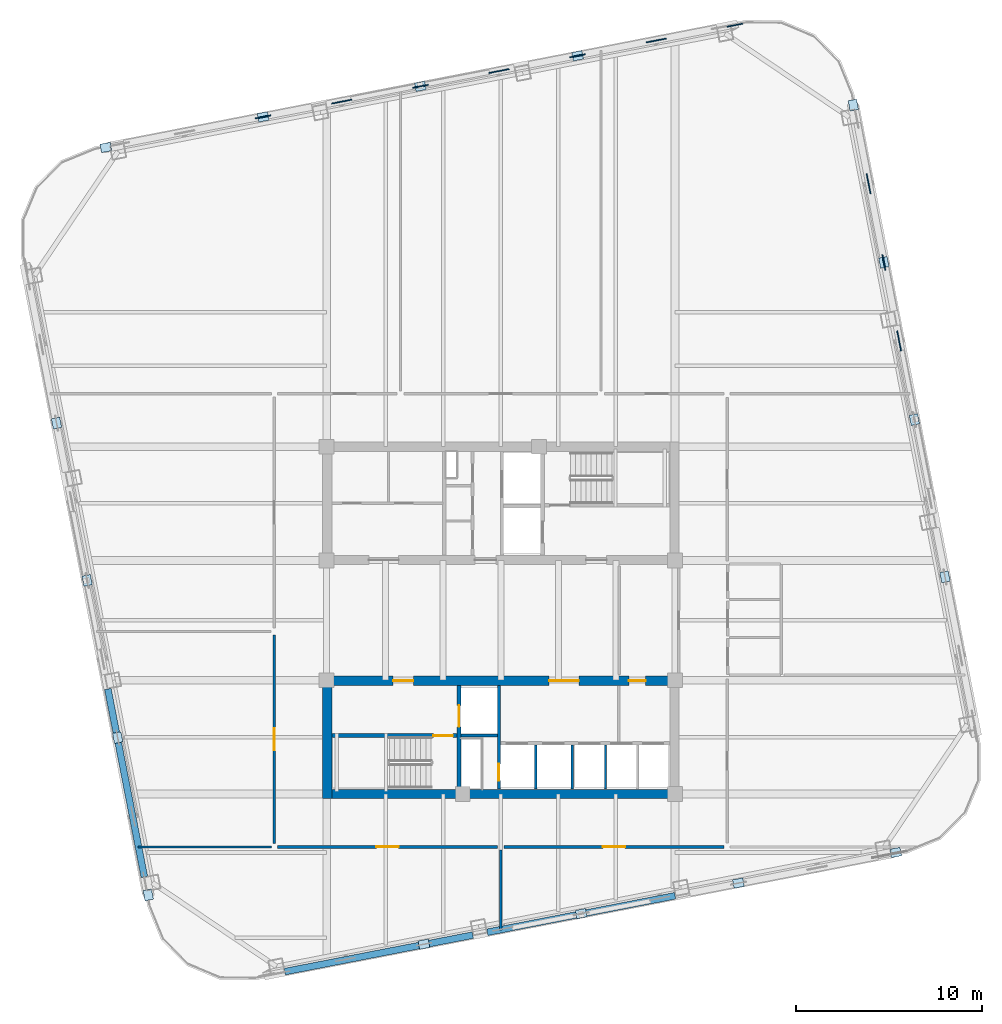
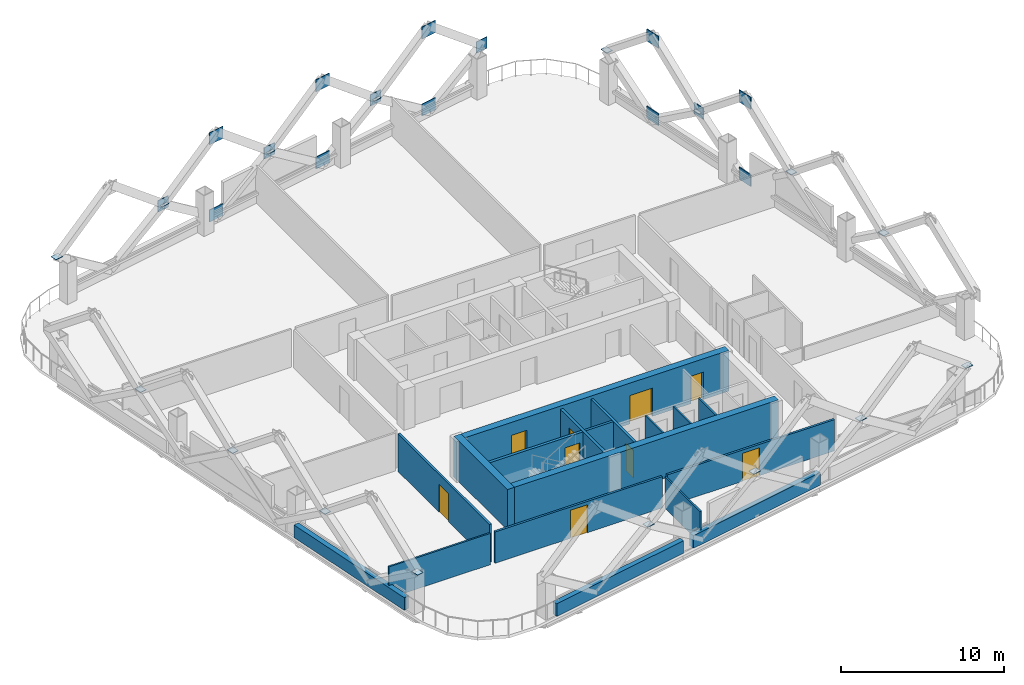
# One storey, part 4 of 9: 31 plates, 18 walls, 9 doors, 9 openings.
"""IFC4 building model written with IfcOpenShell, lengths in metres."""

from ifc_helpers import new_model, si_unit, direction, frame, frame_2d, origin, origin_2d, place, context, subcontext, project, spatial, rectangle, extrude, material, layer, layer_set, type_object, element, fill, save


model = new_model("IFC4")

# Units and contexts
model_context = context("Model", 3, precision=1e-05, world=origin(), true_north=direction((0.0, 1.0)))
body_context = subcontext(model_context, "Body", "Model", "MODEL_VIEW")
ifc_project = project(units=[si_unit("LENGTHUNIT", "METRE"), si_unit("AREAUNIT", "SQUARE_METRE"), si_unit("VOLUMEUNIT", "CUBIC_METRE"), si_unit("PLANEANGLEUNIT", "RADIAN"), si_unit("MASSUNIT", "GRAM", prefix="KILO")], contexts=[model_context])

# Site, building, storey
site_placement = place(None, origin())
site = spatial("IfcSite", under=ifc_project, at=site_placement, CompositionType="ELEMENT")
building_placement = place(site_placement, origin())
building = spatial("IfcBuilding", under=site, at=building_placement, Name="Qhalaya Broadcast Tower", CompositionType="ELEMENT")
storey_placement = place(building_placement, frame((0.0, 0.0, 137.199951171875)))
storey = spatial("IfcBuildingStorey", under=building, at=storey_placement, Name="L40", CompositionType="ELEMENT", Elevation=137.199951171875)

# Plates
ifc_material_1 = material(Name="Structural Steel ASTM A572 Grade 50", Category="steel")
ifc_layer_1 = layer(ifc_material_1, 0.054931640625, Name="Structural Steel ASTM A572 Grade 50")
ifc_layer_set_1 = layer_set([ifc_layer_1], Name="Structural Steel ASTM A572 Grade 50")
plate_type_1 = type_object("IfcPlateType", Name="Exoskeleton Diamond Node Gusset Plate NP-01", PredefinedType="USERDEFINED", material=ifc_layer_set_1)
for number, where, z_axis, x_axis, name in (
    (1, (21.4501953125, 15.642578125, 0.210205078125), (0.0, 0.0, 1.0), (-0.190808995377, 0.981627183448, 0.0), "Exoskeleton Diamond Node B3-E3-BOT"),
    (2, (21.4501953125, 15.642578125, 5.989990234375), (0.0, 0.0, 1.0), (-0.190808995377, 0.981627183448, 0.0), "Exoskeleton Diamond Node B3-E3-TOP"),
    (3, (19.804443359375, 24.109375, 0.210205078125), (0.0, 0.0, 1.0), (-0.190808995377, 0.981627183448, 0.0), "Exoskeleton Diamond Node B3-E4-BOT"),
    (4, (19.804443359375, 24.109375, 5.989990234375), (0.0, 0.0, 1.0), (-0.190808995377, 0.981627183448, 0.0), "Exoskeleton Diamond Node B3-E4-TOP"),
):
    element("IfcPlate", number, at=place(storey_placement, frame(where, z_axis=z_axis, x_axis=x_axis)), inside=storey, type_object=plate_type_1, Name=name, ObjectType="GUSSET_PLATE", PredefinedType="USERDEFINED", context=body_context, shape_type="SweptSolid", body=[
        extrude(rectangle(XDim=1.10009765625, YDim=0.054931640625, at=origin_2d()), origin(), (0.0, 0.0, 1.0), 0.89990234375),
    ])
plate_1_placement = place(storey_placement, frame((20.62744140625, 19.8759765625, 2.885009765625), z_axis=(0.0, 0.0, 1.0), x_axis=(-0.190808995377, 0.981627183448, 0.0)))
element("IfcPlate", 5, at=plate_1_placement, inside=storey, type_object=plate_type_1, Name="Exoskeleton Diamond Node B3-E4-MDL", ObjectType="GUSSET_PLATE", PredefinedType="USERDEFINED", context=body_context, shape_type="SweptSolid", body=[
    extrude(rectangle(XDim=0.85009765625, YDim=0.054931640625, at=origin_2d()), origin(), (0.0, 0.0, 1.0), 0.85009765625),
])
for number, where, z_axis, x_axis, name in (
    (6, (8.370361328125, 31.82177734375, 0.210205078125), (0.0, 0.0, 1.0), (0.981627183448, 0.190808995377, 0.0), "Exoskeleton Diamond Node B3-N1-BOT"),
    (7, (8.370361328125, 31.82177734375, 5.989990234375), (0.0, 0.0, 1.0), (0.981627183448, 0.190808995377, 0.0), "Exoskeleton Diamond Node B3-N1-TOP"),
):
    element("IfcPlate", number, at=place(storey_placement, frame(where, z_axis=z_axis, x_axis=x_axis)), inside=storey, type_object=plate_type_1, Name=name, ObjectType="GUSSET_PLATE", PredefinedType="USERDEFINED", context=body_context, shape_type="SweptSolid", body=[
        extrude(rectangle(XDim=1.10009765625, YDim=0.054931640625, at=origin_2d()), origin(), (0.0, 0.0, 1.0), 0.89990234375),
    ])
plate_2_placement = place(storey_placement, frame((12.603515625, 32.64453125, 2.885009765625), z_axis=(0.0, 0.0, 1.0), x_axis=(0.981627183448, 0.190808995377, 0.0)))
element("IfcPlate", 8, at=plate_2_placement, inside=storey, type_object=plate_type_1, Name="Exoskeleton Diamond Node B3-N1-MDL", ObjectType="GUSSET_PLATE", PredefinedType="USERDEFINED", context=body_context, shape_type="SweptSolid", body=[
    extrude(rectangle(XDim=0.85009765625, YDim=0.054931640625, at=origin_2d()), origin(), (0.0, 0.0, 1.0), 0.85009765625),
])
for number, where, z_axis, x_axis, name in (
    (9, (-0.09619140625, 30.176025390625, 0.210205078125), (0.0, 0.0, 1.0), (0.981627183448, 0.190808995377, 0.0), "Exoskeleton Diamond Node B3-N2-BOT"),
    (10, (-0.09619140625, 30.176025390625, 5.989990234375), (0.0, 0.0, 1.0), (0.981627183448, 0.190808995377, 0.0), "Exoskeleton Diamond Node B3-N2-TOP"),
):
    element("IfcPlate", number, at=place(storey_placement, frame(where, z_axis=z_axis, x_axis=x_axis)), inside=storey, type_object=plate_type_1, Name=name, ObjectType="GUSSET_PLATE", PredefinedType="USERDEFINED", context=body_context, shape_type="SweptSolid", body=[
        extrude(rectangle(XDim=1.10009765625, YDim=0.054931640625, at=origin_2d()), origin(), (0.0, 0.0, 1.0), 0.89990234375),
    ])
plate_3_placement = place(storey_placement, frame((4.13720703125, 30.998779296875, 2.885009765625), z_axis=(0.0, 0.0, 1.0), x_axis=(0.981627183448, 0.190808995377, 0.0)))
element("IfcPlate", 11, at=plate_3_placement, inside=storey, type_object=plate_type_1, Name="Exoskeleton Diamond Node B3-N2-MDL", ObjectType="GUSSET_PLATE", PredefinedType="USERDEFINED", context=body_context, shape_type="SweptSolid", body=[
    extrude(rectangle(XDim=0.85009765625, YDim=0.054931640625, at=origin_2d()), origin(), (0.0, 0.0, 1.0), 0.85009765625),
])
for number, where, z_axis, x_axis, name in (
    (12, (-8.562744140625, 28.5302734375, 0.210205078125), (0.0, 0.0, 1.0), (0.981627183448, 0.190808995377, 0.0), "Exoskeleton Diamond Node B3-N3-BOT"),
    (13, (-8.562744140625, 28.5302734375, 5.989990234375), (0.0, 0.0, 1.0), (0.981627183448, 0.190808995377, 0.0), "Exoskeleton Diamond Node B3-N3-TOP"),
):
    element("IfcPlate", number, at=place(storey_placement, frame(where, z_axis=z_axis, x_axis=x_axis)), inside=storey, type_object=plate_type_1, Name=name, ObjectType="GUSSET_PLATE", PredefinedType="USERDEFINED", context=body_context, shape_type="SweptSolid", body=[
        extrude(rectangle(XDim=1.10009765625, YDim=0.054931640625, at=origin_2d()), origin(), (0.0, 0.0, 1.0), 0.89990234375),
    ])
for number, where, z_axis, x_axis, name in (
    (14, (-4.32958984375, 29.35302734375, 2.885009765625), (0.0, 0.0, 1.0), (0.981627183448, 0.190808995377, 0.0), "Exoskeleton Diamond Node B3-N3-MDL"),
    (15, (-12.7958984375, 27.70751953125, 2.885009765625), (0.0, 0.0, 1.0), (0.981627183448, 0.190808995377, 0.0), "Exoskeleton Diamond Node B3-N4-MDL"),
):
    element("IfcPlate", number, at=place(storey_placement, frame(where, z_axis=z_axis, x_axis=x_axis)), inside=storey, type_object=plate_type_1, Name=name, ObjectType="GUSSET_PLATE", PredefinedType="USERDEFINED", context=body_context, shape_type="SweptSolid", body=[
        extrude(rectangle(XDim=0.85009765625, YDim=0.054931640625, at=origin_2d()), origin(), (0.0, 0.0, 1.0), 0.85009765625),
    ])
ifc_layer_2 = layer(ifc_material_1, 0.4599609375, Name="Structural Steel ASTM A572 Grade 50")
ifc_layer_set_2 = layer_set([ifc_layer_2], Name="Structural Steel ASTM A572 Grade 50")
plate_type_2 = type_object("IfcPlateType", Name="Hollow Box Member End Cap Plate CP-01", PredefinedType="USERDEFINED", material=ifc_layer_set_2)
for number, where, z_axis, x_axis, name in (
    (16, (-4.13720703125, -16.8388671875, 3.2939453125), (0.0, 0.0, 1.0), (0.981627183448, 0.190808995377, 0.0), "Exoskeleton Hollow End Cap B3-S1"),
    (17, (4.32958984375, -15.193115234375, 3.2939453125), (0.0, 0.0, 1.0), (0.981627183448, 0.190808995377, 0.0), "Exoskeleton Hollow End Cap B3-S2"),
    (18, (12.7958984375, -13.54736328125, 3.2939453125), (0.0, 0.0, 1.0), (0.981627183448, 0.190808995377, 0.0), "Exoskeleton Hollow End Cap B3-S3"),
    (19, (21.262451171875, -11.901611328125, 3.2939453125), (0.0, 0.0, 1.0), (0.981627183448, 0.190808995377, 0.0), "Exoskeleton Hollow End Cap B3-S4"),
    (20, (23.918701171875, 2.94287109375, 3.2939453125), (0.0, 0.0, 1.0), (-0.190808995377, 0.981627183448, 0.0), "Exoskeleton Hollow End Cap B3-E1"),
    (21, (22.273193359375, 11.409423828125, 3.2939453125), (0.0, 0.0, 1.0), (-0.190808995377, 0.981627183448, 0.0), "Exoskeleton Hollow End Cap B3-E2"),
    (22, (20.62744140625, 19.8759765625, 3.2939453125), (0.0, 0.0, 1.0), (-0.190808995377, 0.981627183448, 0.0), "Exoskeleton Hollow End Cap B3-E3"),
    (23, (18.981689453125, 28.342529296875, 3.2939453125), (0.0, 0.0, 1.0), (-0.190808995377, 0.981627183448, 0.0), "Exoskeleton Hollow End Cap B3-E4"),
    (24, (4.13720703125, 30.998779296875, 3.2939453125), (0.0, 0.0, 1.0), (0.981627183448, 0.190808995377, 0.0), "Exoskeleton Hollow End Cap B3-N1"),
    (25, (-4.32958984375, 29.35302734375, 3.2939453125), (0.0, 0.0, 1.0), (0.981627183448, 0.190808995377, 0.0), "Exoskeleton Hollow End Cap B3-N2"),
    (26, (-12.7958984375, 27.70751953125, 3.2939453125), (0.0, 0.0, 1.0), (0.981627183448, 0.190808995377, 0.0), "Exoskeleton Hollow End Cap B3-N3"),
    (27, (-21.262451171875, 26.061767578125, 3.2939453125), (0.0, 0.0, 1.0), (0.981627183448, 0.190808995377, 0.0), "Exoskeleton Hollow End Cap B3-N4"),
    (28, (-23.918701171875, 11.217041015625, 3.2939453125), (0.0, 0.0, 1.0), (-0.190808995377, 0.981627183448, 0.0), "Exoskeleton Hollow End Cap B3-W1"),
    (29, (-22.273193359375, 2.75048828125, 3.2939453125), (0.0, 0.0, 1.0), (-0.190808995377, 0.981627183448, 0.0), "Exoskeleton Hollow End Cap B3-W2"),
    (30, (-20.62744140625, -5.716064453125, 3.2939453125), (0.0, 0.0, 1.0), (-0.190808995377, 0.981627183448, 0.0), "Exoskeleton Hollow End Cap B3-W3"),
    (31, (-18.981689453125, -14.1826171875, 3.2939453125), (0.0, 0.0, 1.0), (-0.190808995377, 0.981627183448, 0.0), "Exoskeleton Hollow End Cap B3-W4"),
):
    element("IfcPlate", number, at=place(storey_placement, frame(where, z_axis=z_axis, x_axis=x_axis)), inside=storey, type_object=plate_type_2, Name=name, ObjectType="COVER_PLATE", PredefinedType="USERDEFINED", context=body_context, shape_type="SweptSolid", body=[
        extrude(rectangle(XDim=0.56005859375, YDim=0.4599609375, at=origin_2d()), origin(), (0.0, 0.0, 1.0), 0.031982421875),
    ])

# Wall, opening, door
ifc_material_2 = material(Name="Gypsum Acoustic Partition")
ifc_layer_3 = layer(ifc_material_2, 0.14990234375, Name="Gypsum Acoustic Partition")
ifc_layer_set_3 = layer_set([ifc_layer_3], Name="Gypsum Acoustic Partition")
wall_type_1 = type_object("IfcWallType", Name="Corridor & Tenancy Acoustic Partition 150", PredefinedType="PARTITIONING", material=ifc_layer_set_3)
wall_1_placement = place(storey_placement, frame((-12.02001953125, -11.60009765625, 0.0), z_axis=(0.0, 0.0, 1.0), x_axis=(1.0, 0.0, 0.0)))
wall_1 = element("IfcWall", 32, at=wall_1_placement, inside=storey, type_object=wall_type_1, Name="L40 Partition Wall W-COR-04", PredefinedType="PARTITIONING", context=body_context, shape_type="SweptSolid", body=[
    extrude(rectangle(XDim=11.840087890625, YDim=0.14990234375, at=frame_2d((5.919921875, 0.0))), origin(), (0.0, 0.0, 1.0), 2.34716796875),
])
opening_1_placement = place(wall_1_placement, frame((5.320068359375, 0.0, 0.0)))
opening_1 = element("IfcOpeningElement", 33, at=opening_1_placement, cuts=wall_1, Name="Opening D11", PredefinedType="OPENING", context=body_context, shape_type="SweptSolid", body=[
    extrude(rectangle(XDim=1.199951171875, YDim=2.10009765625, at=frame_2d((0.60009765625, 1.050048828125))), frame((0.0, 0.0869140625, 0.0), z_axis=(0.0, -1.0, 0.0), x_axis=(1.0, 0.0, 0.0)), (0.0, 0.0, 1.0), 0.173828125),
])
ifc_material_3 = material(Name="Anodised Aluminium Glazed Door", Category="aluminium")
door_type_1 = type_object("IfcDoorType", Name="Conference, Boardroom & Studio Control Door D11", OperationType="NOTDEFINED", PredefinedType="DOOR", material=ifc_material_3)
door_1_placement = place(opening_1_placement, origin())
door_1 = element("IfcDoor", 34, at=door_1_placement, inside=storey, type_object=door_type_1, Name="L40 Door D-RM04", OperationType="SINGLE_SWING_LEFT", OverallHeight=2.10009765625, OverallWidth=1.199951171875, PredefinedType="DOOR", context=body_context, shape_type="SweptSolid", body=[
    extrude(rectangle(XDim=1.199951171875, YDim=2.10009765625, at=frame_2d((0.60009765625, 1.050048828125))), frame((0.0, 0.02490234375, 0.0), z_axis=(0.0, -1.0, 0.0), x_axis=(1.0, 0.0, 0.0)), (0.0, 0.0, 1.0), 0.050048828125),
])
fill(opening_1, door_1)

wall_2_placement = place(storey_placement, frame((0.179931640625, -11.60009765625, 0.0), z_axis=(0.0, 0.0, 1.0), x_axis=(1.0, 0.0, 0.0)))
wall_2 = element("IfcWall", 35, at=wall_2_placement, inside=storey, type_object=wall_type_1, Name="L40 Partition Wall W-COR-05", PredefinedType="PARTITIONING", context=body_context, shape_type="SweptSolid", body=[
    extrude(rectangle(XDim=11.840087890625, YDim=0.14990234375, at=frame_2d((5.919921875, 0.0))), origin(), (0.0, 0.0, 1.0), 2.34716796875),
])
opening_2_placement = place(wall_2_placement, frame((5.320068359375, 0.0, 0.0)))
opening_2 = element("IfcOpeningElement", 36, at=opening_2_placement, cuts=wall_2, Name="Opening D11", PredefinedType="OPENING", context=body_context, shape_type="SweptSolid", body=[
    extrude(rectangle(XDim=1.199951171875, YDim=2.10009765625, at=frame_2d((0.60009765625, 1.050048828125))), frame((0.0, 0.0869140625, 0.0), z_axis=(0.0, -1.0, 0.0), x_axis=(1.0, 0.0, 0.0)), (0.0, 0.0, 1.0), 0.173828125),
])
door_2_placement = place(opening_2_placement, origin())
door_2 = element("IfcDoor", 37, at=door_2_placement, inside=storey, type_object=door_type_1, Name="L40 Door D-RM05", OperationType="SINGLE_SWING_RIGHT", OverallHeight=2.10009765625, OverallWidth=1.199951171875, PredefinedType="DOOR", context=body_context, shape_type="SweptSolid", body=[
    extrude(rectangle(XDim=1.199951171875, YDim=2.10009765625, at=frame_2d((0.60009765625, 1.050048828125))), frame((0.0, 0.02490234375, 0.0), z_axis=(0.0, -1.0, 0.0), x_axis=(1.0, 0.0, 0.0)), (0.0, 0.0, 1.0), 0.050048828125),
])
fill(opening_2, door_2)

wall_3_placement = place(storey_placement, frame((-12.199951171875, -11.419921875, 0.0), z_axis=(0.0, 0.0, 1.0), x_axis=(0.0, 1.0, 0.0)))
wall_3 = element("IfcWall", 38, at=wall_3_placement, inside=storey, type_object=wall_type_1, Name="L40 Partition Wall W-COR-06", PredefinedType="PARTITIONING", context=body_context, shape_type="SweptSolid", body=[
    extrude(rectangle(XDim=11.239990234375, YDim=0.14990234375, at=frame_2d((5.6201171875, 0.0))), origin(), (0.0, 0.0, 1.0), 2.830078125),
])
opening_3_placement = place(wall_3_placement, frame((5.02001953125, 0.0, 0.0)))
opening_3 = element("IfcOpeningElement", 39, at=opening_3_placement, cuts=wall_3, Name="Opening D11", PredefinedType="OPENING", context=body_context, shape_type="SweptSolid", body=[
    extrude(rectangle(XDim=1.199951171875, YDim=2.10009765625, at=frame_2d((0.60009765625, 1.050048828125))), frame((0.0, 0.0869140625, 0.0), z_axis=(0.0, -1.0, 0.0), x_axis=(1.0, 0.0, 0.0)), (0.0, 0.0, 1.0), 0.173828125),
])
door_3_placement = place(opening_3_placement, origin())
door_3 = element("IfcDoor", 40, at=door_3_placement, inside=storey, type_object=door_type_1, Name="L40 Door D-RM06", OperationType="SINGLE_SWING_LEFT", OverallHeight=2.10009765625, OverallWidth=1.199951171875, PredefinedType="DOOR", context=body_context, shape_type="SweptSolid", body=[
    extrude(rectangle(XDim=1.199951171875, YDim=2.10009765625, at=frame_2d((0.60009765625, 1.050048828125))), frame((0.0, 0.02490234375, 0.0), z_axis=(0.0, -1.0, 0.0), x_axis=(1.0, 0.0, 0.0)), (0.0, 0.0, 1.0), 0.050048828125),
])
fill(opening_3, door_3)

# Walls
ifc_material_4 = material(Name="Precast Concrete C40/50", Category="concrete")
ifc_layer_4 = layer(ifc_material_4, 0.360107421875, Name="Precast Concrete C40/50")
ifc_layer_set_4 = layer_set([ifc_layer_4], Name="Precast Concrete C40/50")
wall_type_2 = type_object("IfcWallType", Name="Insulated Precast Terracotta Exterior Wall 360", PredefinedType="SOLIDWALL", material=ifc_layer_set_4)
wall_4_placement = place(storey_placement, frame((9.388671875, -14.22998046875, 0.0), z_axis=(0.0, 0.0, 1.0), x_axis=(-0.981627477005, -0.190807485147, 0.0)))
element("IfcWall", 41, at=wall_4_placement, inside=storey, type_object=wall_type_2, Name="L40 Exoskeleton Diagrid Infill Wall S2", PredefinedType="SOLIDWALL", context=body_context, shape_type="SweptSolid", body=[
    extrude(rectangle(XDim=10.300048828125, YDim=0.360107421875, at=frame_2d((5.14990234375, 0.0))), origin(), (0.0, 0.0, 1.0), 0.949951171875),
])
for number, where, z_axis, x_axis, name in (
    (42, (-1.50732421875, -16.34814453125, 0.0), (0.0, 0.0, 1.0), (-0.981628941133, -0.190799952646, 0.0), "L40 Exoskeleton Diagrid Infill Wall S3"),
    (43, (-19.189697265625, -13.216552734375, 0.0), (0.0, 0.0, 1.0), (-0.190822765986, 0.981624506612, 0.0), "L40 Exoskeleton Diagrid Infill Wall W1"),
):
    element("IfcWall", number, at=place(storey_placement, frame(where, z_axis=z_axis, x_axis=x_axis)), inside=storey, type_object=wall_type_2, Name=name, PredefinedType="SOLIDWALL", context=body_context, shape_type="SweptSolid", body=[
        extrude(rectangle(XDim=10.31201171875, YDim=0.360107421875, at=frame_2d((5.156005859375, 0.0))), origin(), (0.0, 0.0, 1.0), 0.949951171875),
    ])

# Wall, opening, door
ifc_material_5 = material(Name="Concrete C50/60", Category="concrete")
ifc_layer_5 = layer(ifc_material_5, 0.199951171875, Name="Concrete C50/60")
ifc_layer_set_5 = layer_set([ifc_layer_5], Name="Concrete C50/60")
wall_type_3 = type_object("IfcWallType", Name="Load-Bearing Stair Shaft Wall 200", PredefinedType="SHEAR", material=ifc_layer_set_5)
wall_5_placement = place(storey_placement, frame((-9.080078125, -5.60498046875, 0.0), z_axis=(0.0, 0.0, 1.0), x_axis=(1.0, 0.0, 0.0)))
wall_5 = element("IfcWall", 44, at=wall_5_placement, inside=storey, type_object=wall_type_3, Name="L40 Stair Core Shear Wall SCW-ST2", PredefinedType="SHEAR", context=body_context, shape_type="SweptSolid", body=[
    extrude(rectangle(XDim=6.719970703125, YDim=0.199951171875, at=frame_2d((3.35986328125, 0.0))), origin(), (0.0, 0.0, 1.0), 2.830078125),
])
opening_4_placement = place(wall_5_placement, frame((5.449951171875, 0.0, 0.0)))
opening_4 = element("IfcOpeningElement", 45, at=opening_4_placement, cuts=wall_5, Name="Opening D03", PredefinedType="OPENING", context=body_context, shape_type="SweptSolid", body=[
    extrude(rectangle(XDim=1.050048828125, YDim=2.080078125, at=frame_2d((0.52490234375, 1.0400390625))), frame((0.0, 0.112060546875, 0.0), z_axis=(0.0, -1.0, 0.0), x_axis=(1.0, 0.0, 0.0)), (0.0, 0.0, 1.0), 0.223876953125),
])
ifc_material_6 = material(Name="Fire-Rated Steel Door", Category="steel")
door_type_2 = type_object("IfcDoorType", Name="Core Stair Protected Fire Door D03", OperationType="NOTDEFINED", PredefinedType="DOOR", material=ifc_material_6)
door_4_placement = place(opening_4_placement, origin())
door_4 = element("IfcDoor", 46, at=door_4_placement, inside=storey, type_object=door_type_2, Name="L40 Door D-SST2", OperationType="SINGLE_SWING_RIGHT", OverallHeight=2.080078125, OverallWidth=1.050048828125, PredefinedType="DOOR", context=body_context, shape_type="SweptSolid", body=[
    extrude(rectangle(XDim=1.050048828125, YDim=2.080078125, at=frame_2d((0.52490234375, 1.0400390625))), frame((0.0, 0.02490234375, 0.0), z_axis=(0.0, -1.0, 0.0), x_axis=(1.0, 0.0, 0.0)), (0.0, 0.0, 1.0), 0.050048828125),
])
fill(opening_4, door_4)

wall_6_placement = place(storey_placement, frame((-2.25, -8.47998046875, 0.0), z_axis=(0.0, 0.0, 1.0), x_axis=(0.0, 1.0, 0.0)))
wall_6 = element("IfcWall", 47, at=wall_6_placement, inside=storey, type_object=wall_type_3, Name="L40 Stair Core Shear Wall SCW-FF", PredefinedType="SHEAR", context=body_context, shape_type="SweptSolid", body=[
    extrude(rectangle(XDim=5.56005859375, YDim=0.199951171875, at=frame_2d((2.780029296875, 0.0))), origin(), (0.0, 0.0, 1.0), 2.830078125),
])
opening_5_placement = place(wall_6_placement, frame((3.35009765625, 0.0, 0.0)))
opening_5 = element("IfcOpeningElement", 48, at=opening_5_placement, cuts=wall_6, Name="Opening LD2", PredefinedType="OPENING", context=body_context, shape_type="SweptSolid", body=[
    extrude(rectangle(XDim=1.14990234375, YDim=2.080078125, at=frame_2d((0.574951171875, 1.0400390625))), frame((0.0, 0.112060546875, 0.0), z_axis=(0.0, -1.0, 0.0), x_axis=(1.0, 0.0, 0.0)), (0.0, 0.0, 1.0), 0.223876953125),
])
ifc_material_7 = material(Name="Brushed Stainless Steel Lift Door", Category="steel")
door_type_3 = type_object("IfcDoorType", Name="Firefighting Lift Sliding Landing Door LD2", OperationType="DOUBLE_DOOR_SLIDING", PredefinedType="DOOR", material=ifc_material_7)
door_5_placement = place(opening_5_placement, origin())
door_5 = element("IfcDoor", 49, at=door_5_placement, inside=storey, type_object=door_type_3, Name="L40 Door LD-FF2", OperationType="DOUBLE_DOOR_SLIDING", OverallHeight=2.080078125, OverallWidth=1.14990234375, PredefinedType="DOOR", context=body_context, shape_type="SweptSolid", body=[
    extrude(rectangle(XDim=1.14990234375, YDim=2.080078125, at=frame_2d((0.574951171875, 1.0400390625))), frame((0.0, 0.02490234375, 0.0), z_axis=(0.0, -1.0, 0.0), x_axis=(1.0, 0.0, 0.0)), (0.0, 0.0, 1.0), 0.050048828125),
])
fill(opening_5, door_5)

# Wall
ifc_layer_6 = layer(ifc_material_5, 0.5, Name="Concrete C50/60")
ifc_layer_set_6 = layer_set([ifc_layer_6], Name="Concrete C50/60")
wall_type_4 = type_object("IfcWallType", Name="Mid Split-Core Shear Wall 500", PredefinedType="SHEAR", material=ifc_layer_set_6)
wall_7_placement = place(storey_placement, frame((-9.60009765625, -8.75, 0.0), z_axis=(0.0, 0.0, 1.0), x_axis=(1.0, 0.0, 0.0)))
element("IfcWall", 50, at=wall_7_placement, inside=storey, type_object=wall_type_4, Name="L40 Split-Core Shear Wall CW-SS", PredefinedType="SHEAR", context=body_context, shape_type="SweptSolid", body=[
    extrude(rectangle(XDim=19.2001953125, YDim=0.5, at=frame_2d((9.60009765625, 0.0))), origin(), (0.0, 0.0, 1.0), 3.050048828125),
])

# Wall, openings, doors
wall_8_placement = place(storey_placement, frame((-9.60009765625, -2.64990234375, 0.0), z_axis=(0.0, 0.0, 1.0), x_axis=(1.0, 0.0, 0.0)))
wall_8 = element("IfcWall", 51, at=wall_8_placement, inside=storey, type_object=wall_type_4, Name="L40 Split-Core Shear Wall CW-SN", PredefinedType="SHEAR", context=body_context, shape_type="SweptSolid", body=[
    extrude(rectangle(XDim=19.2001953125, YDim=0.5, at=frame_2d((9.60009765625, 0.0))), origin(), (0.0, 0.0, 1.0), 3.050048828125),
])
opening_6_placement = place(wall_8_placement, frame((3.800048828125, 0.0, 0.0)))
opening_6 = element("IfcOpeningElement", 52, at=opening_6_placement, cuts=wall_8, Name="Opening D04", PredefinedType="OPENING", context=body_context, shape_type="SweptSolid", body=[
    extrude(rectangle(XDim=1.10009765625, YDim=2.080078125, at=frame_2d((0.550048828125, 1.0400390625))), frame((0.0, 0.261962890625, 0.0), z_axis=(0.0, -1.0, 0.0), x_axis=(1.0, 0.0, 0.0)), (0.0, 0.0, 1.0), 0.52392578125),
])
opening_7_placement = place(wall_8_placement, frame((12.199951171875, 0.0, 0.0)))
opening_7 = element("IfcOpeningElement", 53, at=opening_7_placement, cuts=wall_8, Name="Opening D07", PredefinedType="OPENING", context=body_context, shape_type="SweptSolid", body=[
    extrude(rectangle(XDim=1.60009765625, YDim=2.1201171875, at=frame_2d((0.800048828125, 1.06005859375))), frame((0.0, 0.261962890625, 0.0), z_axis=(0.0, -1.0, 0.0), x_axis=(1.0, 0.0, 0.0)), (0.0, 0.0, 1.0), 0.52392578125),
])
opening_8_placement = place(wall_8_placement, frame((16.5, 0.0, 0.0)))
opening_8 = element("IfcOpeningElement", 54, at=opening_8_placement, cuts=wall_8, Name="Opening D06", PredefinedType="OPENING", context=body_context, shape_type="SweptSolid", body=[
    extrude(rectangle(XDim=0.89990234375, YDim=2.050048828125, at=frame_2d((0.449951171875, 1.02490234375))), frame((0.0, 0.261962890625, 0.0), z_axis=(0.0, -1.0, 0.0), x_axis=(1.0, 0.0, 0.0)), (0.0, 0.0, 1.0), 0.52392578125),
])
door_type_4 = type_object("IfcDoorType", Name="Firefighting Lobby Rated Door D04", OperationType="NOTDEFINED", PredefinedType="DOOR", material=ifc_material_6)
door_6_placement = place(opening_6_placement, origin())
door_6 = element("IfcDoor", 55, at=door_6_placement, inside=storey, type_object=door_type_4, Name="L40 Door D-SFF", OperationType="SINGLE_SWING_LEFT", OverallHeight=2.080078125, OverallWidth=1.10009765625, PredefinedType="DOOR", context=body_context, shape_type="SweptSolid", body=[
    extrude(rectangle(XDim=1.10009765625, YDim=2.080078125, at=frame_2d((0.550048828125, 1.0400390625))), frame((0.0, 0.02490234375, 0.0), z_axis=(0.0, -1.0, 0.0), x_axis=(1.0, 0.0, 0.0)), (0.0, 0.0, 1.0), 0.050048828125),
])
fill(opening_6, door_6)
door_type_5 = type_object("IfcDoorType", Name="Passenger Lift Lobby Double Glazed Door D07", OperationType="DOUBLE_DOOR_SINGLE_SWING", PredefinedType="DOOR", material=ifc_material_3)
door_7_placement = place(opening_7_placement, origin())
door_7 = element("IfcDoor", 56, at=door_7_placement, inside=storey, type_object=door_type_5, Name="L40 Door D-SPLL", OperationType="DOUBLE_DOOR_SINGLE_SWING", OverallHeight=2.1201171875, OverallWidth=1.60009765625, PredefinedType="DOOR", context=body_context, shape_type="SweptSolid", body=[
    extrude(rectangle(XDim=1.60009765625, YDim=2.1201171875, at=frame_2d((0.800048828125, 1.06005859375))), frame((0.0, 0.02490234375, 0.0), z_axis=(0.0, -1.0, 0.0), x_axis=(1.0, 0.0, 0.0)), (0.0, 0.0, 1.0), 0.050048828125),
])
fill(opening_7, door_7)
door_type_6 = type_object("IfcDoorType", Name="Riser & Electrical Shaft Access Door D06", OperationType="NOTDEFINED", PredefinedType="DOOR", material=ifc_material_6)
door_8_placement = place(opening_8_placement, origin())
door_8 = element("IfcDoor", 57, at=door_8_placement, inside=storey, type_object=door_type_6, Name="L40 Door D-SSCST", OperationType="SINGLE_SWING_LEFT", OverallHeight=2.050048828125, OverallWidth=0.89990234375, PredefinedType="DOOR", context=body_context, shape_type="SweptSolid", body=[
    extrude(rectangle(XDim=0.89990234375, YDim=2.050048828125, at=frame_2d((0.449951171875, 1.02490234375))), frame((0.0, 0.02490234375, 0.0), z_axis=(0.0, -1.0, 0.0), x_axis=(1.0, 0.0, 0.0)), (0.0, 0.0, 1.0), 0.050048828125),
])
fill(opening_8, door_8)

# Walls
wall_9_placement = place(storey_placement, frame((-9.35009765625, -9.0, 0.0), z_axis=(0.0, 0.0, 1.0), x_axis=(0.0, 1.0, 0.0)))
element("IfcWall", 58, at=wall_9_placement, inside=storey, type_object=wall_type_4, Name="L40 Split-Core Shear Wall CW-SW", PredefinedType="SHEAR", context=body_context, shape_type="SweptSolid", body=[
    extrude(rectangle(XDim=6.60009765625, YDim=0.5, at=frame_2d((3.300048828125, 0.0))), origin(), (0.0, 0.0, 1.0), 3.050048828125),
])
ifc_layer_7 = layer(ifc_material_2, 0.1201171875, Name="Gypsum Acoustic Partition")
ifc_layer_set_7 = layer_set([ifc_layer_7], Name="Gypsum Acoustic Partition")
wall_type_5 = type_object("IfcWallType", Name="Office, Booth & Sanitary Partition 120", PredefinedType="PARTITIONING", material=ifc_layer_set_7)
for number, where, z_axis, x_axis, name in (
    (59, (1.8798828125, -8.47998046875, 0.0), (0.0, 0.0, 1.0), (0.0, 1.0, 0.0), "L40 Partition Wall SCW-MD4"),
    (60, (3.85009765625, -8.47998046875, 0.0), (0.0, 0.0, 1.0), (0.0, 1.0, 0.0), "L40 Partition Wall SCW-MD5"),
    (61, (5.639892578125, -8.47998046875, 0.0), (0.0, 0.0, 1.0), (0.0, 1.0, 0.0), "L40 Partition Wall SCW-HD6"),
):
    element("IfcWall", number, at=place(storey_placement, frame(where, z_axis=z_axis, x_axis=x_axis)), inside=storey, type_object=wall_type_5, Name=name, PredefinedType="PARTITIONING", context=body_context, shape_type="SweptSolid", body=[
        extrude(rectangle(XDim=2.3798828125, YDim=0.1201171875, at=frame_2d((1.18994140625, 0.0))), origin(), (0.0, 0.0, 1.0), 2.830078125),
    ])
wall_10_placement = place(storey_placement, frame((-19.5244140625, -11.60009765625, 0.0), z_axis=(0.0, 0.0, 1.0), x_axis=(1.0, 0.0, 0.0)))
element("IfcWall", 62, at=wall_10_placement, inside=storey, type_object=wall_type_5, Name="L40 Partition Wall W-BNDW2", PredefinedType="PARTITIONING", context=body_context, shape_type="SweptSolid", body=[
    extrude(rectangle(XDim=7.184326171875, YDim=0.1201171875, at=frame_2d((3.59228515625, 0.0))), origin(), (0.0, 0.0, 1.0), 2.34716796875),
])
wall_11_placement = place(storey_placement, frame((0.0, -16.075439453125, 0.0), z_axis=(0.0, 0.0, 1.0), x_axis=(0.0, 1.0, 0.0)))
element("IfcWall", 63, at=wall_11_placement, inside=storey, type_object=wall_type_5, Name="L40 Partition Wall W-DIVS1", PredefinedType="PARTITIONING", context=body_context, shape_type="SweptSolid", body=[
    extrude(rectangle(XDim=4.3154296875, YDim=0.1201171875, at=frame_2d((2.15771484375, 0.0))), origin(), (0.0, 0.0, 1.0), 2.34716796875),
])

# Wall, opening, door
ifc_layer_8 = layer(ifc_material_2, 0.175048828125, Name="Gypsum Acoustic Partition")
ifc_layer_set_8 = layer_set([ifc_layer_8], Name="Gypsum Acoustic Partition")
wall_type_6 = type_object("IfcWallType", Name="Shaft & Riser Fire Partition 175", PredefinedType="PARTITIONING", material=ifc_layer_set_8)
wall_12_placement = place(storey_placement, frame((-0.10009765625, -8.47998046875, 0.0), z_axis=(0.0, 0.0, 1.0), x_axis=(0.0, 1.0, 0.0)))
wall_12 = element("IfcWall", 64, at=wall_12_placement, inside=storey, type_object=wall_type_6, Name="L40 Partition Wall SCW-FFE", PredefinedType="PARTITIONING", context=body_context, shape_type="SweptSolid", body=[
    extrude(rectangle(XDim=5.56005859375, YDim=0.175048828125, at=frame_2d((2.780029296875, 0.0))), origin(), (0.0, 0.0, 1.0), 2.830078125),
])
opening_9_placement = place(wall_12_placement, frame((0.449951171875, 0.0, 0.0)))
opening_9 = element("IfcOpeningElement", 65, at=opening_9_placement, cuts=wall_12, Name="Opening D06", PredefinedType="OPENING", context=body_context, shape_type="SweptSolid", body=[
    extrude(rectangle(XDim=0.89990234375, YDim=2.050048828125, at=frame_2d((0.449951171875, 1.02490234375))), frame((0.0, 0.099609375, 0.0), z_axis=(0.0, -1.0, 0.0), x_axis=(1.0, 0.0, 0.0)), (0.0, 0.0, 1.0), 0.198974609375),
])
door_9_placement = place(opening_9_placement, origin())
door_9 = element("IfcDoor", 66, at=door_9_placement, inside=storey, type_object=door_type_6, Name="L40 Riser Shaft Access Door D-SRSR", OperationType="SINGLE_SWING_LEFT", OverallHeight=2.050048828125, OverallWidth=0.89990234375, PredefinedType="DOOR", context=body_context, shape_type="SweptSolid", body=[
    extrude(rectangle(XDim=0.89990234375, YDim=2.050048828125, at=frame_2d((0.449951171875, 1.02490234375))), frame((0.0, 0.02490234375, 0.0), z_axis=(0.0, -1.0, 0.0), x_axis=(1.0, 0.0, 0.0)), (0.0, 0.0, 1.0), 0.050048828125),
])
fill(opening_9, door_9)

# Wall
wall_13_placement = place(storey_placement, frame((-2.14990234375, -5.60009765625, 0.0), z_axis=(0.0, 0.0, 1.0), x_axis=(1.0, 0.0, 0.0)))
element("IfcWall", 67, at=wall_13_placement, inside=storey, type_object=wall_type_6, Name="L40 Partition Wall SCW-FFM", PredefinedType="PARTITIONING", context=body_context, shape_type="SweptSolid", body=[
    extrude(rectangle(XDim=1.969970703125, YDim=0.175048828125, at=frame_2d((0.98486328125, 0.0))), origin(), (0.0, 0.0, 1.0), 2.830078125),
])

save(model, "model.ifc")
